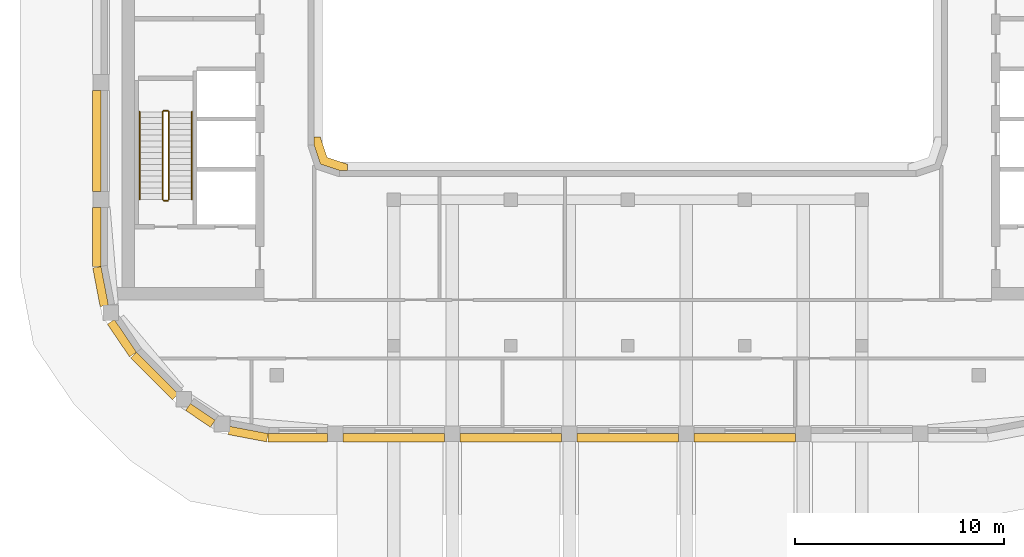
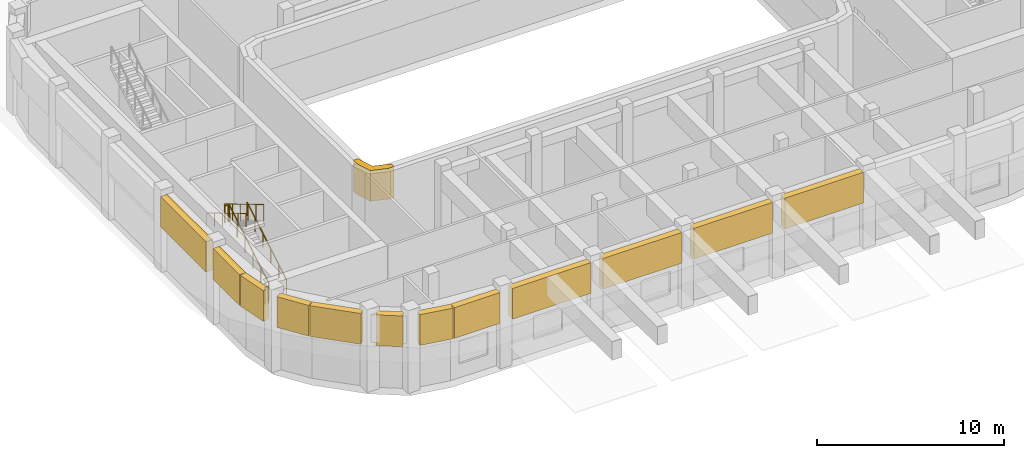
# One storey, part 11 of 17: 13 coverings, 6 railings.
"""IFC4 building model written with IfcOpenShell, lengths in metres."""

from ifc_helpers import new_model, si_unit, direction, frame, origin, origin_2d, place, context, subcontext, project, spatial, polyline, rectangle, circle, outline, extrude, material, type_object, element, save


model = new_model("IFC4")

# Units and contexts
model_context = context("Model", 3, precision=1e-05, world=origin(), true_north=direction((0.0, 1.0)))
body_context = subcontext(model_context, "Body", "Model", "MODEL_VIEW")
ifc_project = project(units=[si_unit("LENGTHUNIT", "METRE"), si_unit("AREAUNIT", "SQUARE_METRE"), si_unit("VOLUMEUNIT", "CUBIC_METRE"), si_unit("PLANEANGLEUNIT", "RADIAN"), si_unit("MASSUNIT", "GRAM", prefix="KILO")], contexts=[model_context])

# Site, building, storey
site_placement = place(None, origin())
site = spatial("IfcSite", under=ifc_project, at=site_placement, CompositionType="ELEMENT")
building_placement = place(site_placement, origin())
building = spatial("IfcBuilding", under=site, at=building_placement, Name="Kiln Ring Residences", CompositionType="ELEMENT")
storey_placement = place(building_placement, frame((0.0, 0.0, 289.10009765625)))
storey = spatial("IfcBuildingStorey", under=building, at=storey_placement, Name="L75", CompositionType="ELEMENT", Elevation=289.10009765625)

# Railings
ifc_material_1 = material(Name="Stainless steel", Category="steel")
railing_type_1 = type_object("IfcRailingType", Name="CORE-STAIR-GUARD", PredefinedType="GUARDRAIL", material=ifc_material_1)
railing_1_placement = place(storey_placement, frame((-21.949951171875, -8.39990234375, 0.168701171875)))
element("IfcRailing", 1, at=railing_1_placement, inside=storey, type_object=railing_type_1, Name="L75 W-STS stair guard 1", PredefinedType="GUARDRAIL", context=body_context, shape_type="SweptSolid", body=[
    extrude(circle(Radius=0.02392578125, at=origin_2d()), frame((0.0, 0.0, 1.076171875), z_axis=(0.0, 0.856476492594, 0.516186030065), x_axis=(-1.0, 0.0, 0.0)), (0.0, 0.0, 1.0), 4.90380859375),
    extrude(circle(Radius=0.02099609375, at=origin_2d()), origin(), (0.0, 0.0, 1.0), 1.052001953125),
    extrude(circle(Radius=0.02099609375, at=origin_2d()), frame((0.0, 0.840087890625, 0.50634765625)), (0.0, 0.0, 1.0), 1.052001953125),
    extrude(circle(Radius=0.02099609375, at=origin_2d()), frame((0.0, 1.679931640625, 1.012451171875)), (0.0, 0.0, 1.0), 1.052001953125),
    extrude(circle(Radius=0.02099609375, at=origin_2d()), frame((0.0, 2.52001953125, 1.518798828125)), (0.0, 0.0, 1.0), 1.052001953125),
    extrude(circle(Radius=0.02099609375, at=origin_2d()), frame((0.0, 3.35986328125, 2.02490234375)), (0.0, 0.0, 1.0), 1.052001953125),
    extrude(circle(Radius=0.02099609375, at=origin_2d()), frame((0.0, 4.199951171875, 2.53125)), (0.0, 0.0, 1.0), 1.052001953125),
])
railing_2_placement = place(storey_placement, frame((-22.0, -4.14990234375, 2.699951171875)))
element("IfcRailing", 2, at=railing_2_placement, inside=storey, type_object=railing_type_1, Name="L75 W-STS stair guard 2", PredefinedType="GUARDRAIL", context=body_context, shape_type="SweptSolid", body=[
    extrude(circle(Radius=0.02392578125, at=origin_2d()), frame((0.0, 0.0, 1.076171875), z_axis=(-1.0, 0.0, 0.0), x_axis=(0.0, -1.0, 0.0)), (0.0, 0.0, 1.0), 0.199951171875),
    extrude(circle(Radius=0.02099609375, at=origin_2d()), origin(), (0.0, 0.0, 1.0), 1.052001953125),
    extrude(circle(Radius=0.02099609375, at=origin_2d()), frame((-0.199951171875, 0.0, 0.0)), (0.0, 0.0, 1.0), 1.052001953125),
])
railing_3_placement = place(storey_placement, frame((-22.25, -4.199951171875, 2.86865234375)))
element("IfcRailing", 3, at=railing_3_placement, inside=storey, type_object=railing_type_1, Name="L75 W-STS stair guard 3", PredefinedType="GUARDRAIL", context=body_context, shape_type="SweptSolid", body=[
    extrude(circle(Radius=0.02392578125, at=origin_2d()), frame((0.0, 0.0, 1.076171875), z_axis=(0.0, -0.856476492594, 0.516186030065), x_axis=(1.0, 0.0, 0.0)), (0.0, 0.0, 1.0), 4.90380859375),
    extrude(circle(Radius=0.02099609375, at=origin_2d()), origin(), (0.0, 0.0, 1.0), 1.052001953125),
    extrude(circle(Radius=0.02099609375, at=origin_2d()), frame((0.0, -0.840087890625, 0.50634765625)), (0.0, 0.0, 1.0), 1.052001953125),
    extrude(circle(Radius=0.02099609375, at=origin_2d()), frame((0.0, -1.679931640625, 1.012451171875)), (0.0, 0.0, 1.0), 1.052001953125),
    extrude(circle(Radius=0.02099609375, at=origin_2d()), frame((0.0, -2.52001953125, 1.518798828125)), (0.0, 0.0, 1.0), 1.052001953125),
    extrude(circle(Radius=0.02099609375, at=origin_2d()), frame((0.0, -3.35986328125, 2.02490234375)), (0.0, 0.0, 1.0), 1.052001953125),
    extrude(circle(Radius=0.02099609375, at=origin_2d()), frame((0.0, -4.199951171875, 2.53125)), (0.0, 0.0, 1.0), 1.052001953125),
])
railing_4_placement = place(storey_placement, frame((-22.0, -8.449951171875, 0.0)))
element("IfcRailing", 4, at=railing_4_placement, inside=storey, type_object=railing_type_1, Name="L75 W-STS stair guard 4", PredefinedType="GUARDRAIL", context=body_context, shape_type="SweptSolid", body=[
    extrude(circle(Radius=0.02392578125, at=origin_2d()), frame((0.0, 0.0, 1.076171875), z_axis=(-1.0, 0.0, 0.0), x_axis=(0.0, -1.0, 0.0)), (0.0, 0.0, 1.0), 0.199951171875),
    extrude(circle(Radius=0.02099609375, at=origin_2d()), origin(), (0.0, 0.0, 1.0), 1.052001953125),
    extrude(circle(Radius=0.02099609375, at=origin_2d()), frame((-0.199951171875, 0.0, 0.0)), (0.0, 0.0, 1.0), 1.052001953125),
])
ifc_material_2 = material(Name="Stainless steel", Category="steel")
railing_type_2 = type_object("IfcRailingType", Name="CORE-STAIR-HANDRAIL", PredefinedType="HANDRAIL", material=ifc_material_2)
railing_5_placement = place(storey_placement, frame((-20.85009765625, -8.39990234375, 0.168701171875)))
element("IfcRailing", 5, at=railing_5_placement, inside=storey, type_object=railing_type_2, Name="L75 W-STS stair handrail 1", PredefinedType="HANDRAIL", context=body_context, shape_type="SweptSolid", body=[
    extrude(circle(Radius=0.02392578125, at=origin_2d()), frame((0.0, 0.0, 0.8759765625), z_axis=(0.0, 0.856476492594, 0.516186030065), x_axis=(-1.0, 0.0, 0.0)), (0.0, 0.0, 1.0), 4.90380859375),
    extrude(circle(Radius=0.02099609375, at=origin_2d()), origin(), (0.0, 0.0, 1.0), 0.851806640625),
    extrude(circle(Radius=0.02099609375, at=origin_2d()), frame((0.0, 0.840087890625, 0.50634765625)), (0.0, 0.0, 1.0), 0.851806640625),
    extrude(circle(Radius=0.02099609375, at=origin_2d()), frame((0.0, 1.679931640625, 1.012451171875)), (0.0, 0.0, 1.0), 0.851806640625),
    extrude(circle(Radius=0.02099609375, at=origin_2d()), frame((0.0, 2.52001953125, 1.518798828125)), (0.0, 0.0, 1.0), 0.851806640625),
    extrude(circle(Radius=0.02099609375, at=origin_2d()), frame((0.0, 3.35986328125, 2.02490234375)), (0.0, 0.0, 1.0), 0.851806640625),
    extrude(circle(Radius=0.02099609375, at=origin_2d()), frame((0.0, 4.199951171875, 2.53125)), (0.0, 0.0, 1.0), 0.851806640625),
])
railing_6_placement = place(storey_placement, frame((-23.35009765625, -4.199951171875, 2.86865234375)))
element("IfcRailing", 6, at=railing_6_placement, inside=storey, type_object=railing_type_2, Name="L75 W-STS stair handrail 2", PredefinedType="HANDRAIL", context=body_context, shape_type="SweptSolid", body=[
    extrude(circle(Radius=0.02392578125, at=origin_2d()), frame((0.0, 0.0, 0.8759765625), z_axis=(0.0, -0.856476492594, 0.516186030065), x_axis=(1.0, 0.0, 0.0)), (0.0, 0.0, 1.0), 4.90380859375),
    extrude(circle(Radius=0.02099609375, at=origin_2d()), origin(), (0.0, 0.0, 1.0), 0.851806640625),
    extrude(circle(Radius=0.02099609375, at=origin_2d()), frame((0.0, -0.840087890625, 0.50634765625)), (0.0, 0.0, 1.0), 0.851806640625),
    extrude(circle(Radius=0.02099609375, at=origin_2d()), frame((0.0, -1.679931640625, 1.012451171875)), (0.0, 0.0, 1.0), 0.851806640625),
    extrude(circle(Radius=0.02099609375, at=origin_2d()), frame((0.0, -2.52001953125, 1.518798828125)), (0.0, 0.0, 1.0), 0.851806640625),
    extrude(circle(Radius=0.02099609375, at=origin_2d()), frame((0.0, -3.35986328125, 2.02490234375)), (0.0, 0.0, 1.0), 0.851806640625),
    extrude(circle(Radius=0.02099609375, at=origin_2d()), frame((0.0, -4.199951171875, 2.53125)), (0.0, 0.0, 1.0), 0.851806640625),
])

# Coverings
ifc_material_3 = material(Name="Concrete C35/45, exposed aggregate finish", Category="concrete")
covering_type = type_object("IfcCoveringType", Name="TIE BAND 2000 x 400", PredefinedType="CLADDING", material=ifc_material_3)
covering_1_placement = place(storey_placement, frame((-22.6455078125, -16.837158203125, 3.0), z_axis=(0.0, 0.0, 1.0), x_axis=(0.707106781187, -0.707106781187, 0.0)))
element("IfcCovering", 7, at=covering_1_placement, inside=storey, type_object=covering_type, Name="TIE BAND L75", PredefinedType="CLADDING", context=body_context, shape_type="SweptSolid", body=[
    extrude(rectangle(XDim=2.824951171875, YDim=0.39990234375, at=origin_2d()), origin(), (0.0, 0.0, 1.0), 2.0),
])
covering_2_placement = place(storey_placement, frame((-20.44384765625, -18.724609375, 3.0), z_axis=(0.0, 0.0, 1.0), x_axis=(0.827071553606, -0.562096651134, 0.0)))
element("IfcCovering", 8, at=covering_2_placement, inside=storey, type_object=covering_type, Name="TIE BAND L75", PredefinedType="CLADDING", context=body_context, shape_type="SweptSolid", body=[
    extrude(rectangle(XDim=1.427001953125, YDim=0.39990234375, at=origin_2d()), origin(), (0.0, 0.0, 1.0), 2.0),
])
covering_3_placement = place(storey_placement, frame((-18.161376953125, -19.6201171875, 3.0), z_axis=(0.0, 0.0, 1.0), x_axis=(0.98229025778, -0.187365550382, 0.0)))
element("IfcCovering", 9, at=covering_3_placement, inside=storey, type_object=covering_type, Name="TIE BAND L75", PredefinedType="CLADDING", context=body_context, shape_type="SweptSolid", body=[
    extrude(rectangle(XDim=1.881103515625, YDim=0.39990234375, at=origin_2d()), origin(), (0.0, 0.0, 1.0), 2.0),
])
covering_4_placement = place(storey_placement, frame((-15.78759765625, -19.800048828125, 3.0), z_axis=(0.0, 0.0, 1.0), x_axis=(1.0, 0.0, 0.0)))
element("IfcCovering", 10, at=covering_4_placement, inside=storey, type_object=covering_type, Name="TIE BAND L75", PredefinedType="CLADDING", context=body_context, shape_type="SweptSolid", body=[
    extrude(rectangle(XDim=2.824951171875, YDim=0.39990234375, at=origin_2d()), origin(), (0.0, 0.0, 1.0), 2.0),
])
for number, where, z_axis, x_axis, name in (
    (11, (-11.199951171875, -19.800048828125, 3.0), (0.0, 0.0, 1.0), (1.0, 0.0, 0.0), "TIE BAND L75"),
    (12, (-5.60009765625, -19.800048828125, 3.0), (0.0, 0.0, 1.0), (1.0, 0.0, 0.0), "TIE BAND L75"),
    (13, (0.0, -19.800048828125, 3.0), (0.0, 0.0, 1.0), (1.0, 0.0, 0.0), "TIE BAND L75"),
    (14, (5.60009765625, -19.800048828125, 3.0), (0.0, 0.0, 1.0), (1.0, 0.0, 0.0), "TIE BAND L75"),
    (15, (-25.39990234375, -5.60009765625, 3.0), (0.0, 0.0, 1.0), (0.0, -1.0, 0.0), "TIE BAND L75"),
):
    element("IfcCovering", number, at=place(storey_placement, frame(where, z_axis=z_axis, x_axis=x_axis)), inside=storey, type_object=covering_type, Name=name, PredefinedType="CLADDING", context=body_context, shape_type="SweptSolid", body=[
        extrude(rectangle(XDim=4.85009765625, YDim=0.39990234375, at=origin_2d()), origin(), (0.0, 0.0, 1.0), 2.0),
    ])
covering_5_placement = place(storey_placement, frame((-25.39990234375, -10.1875, 3.0), z_axis=(0.0, 0.0, 1.0), x_axis=(0.0, -1.0, 0.0)))
element("IfcCovering", 16, at=covering_5_placement, inside=storey, type_object=covering_type, Name="TIE BAND L75", PredefinedType="CLADDING", context=body_context, shape_type="SweptSolid", body=[
    extrude(rectangle(XDim=2.824951171875, YDim=0.39990234375, at=origin_2d()), origin(), (0.0, 0.0, 1.0), 2.0),
])
for number, where, z_axis, x_axis, name in (
    (17, (-25.22021484375, -12.561279296875, 3.0), (0.0, 0.0, 1.0), (0.187365550382, -0.98229025778, 0.0), "TIE BAND L75"),
    (18, (-24.197021484375, -15.031494140625, 3.0), (0.0, 0.0, 1.0), (0.562096651134, -0.827071553606, 0.0), "TIE BAND L75"),
):
    element("IfcCovering", number, at=place(storey_placement, frame(where, z_axis=z_axis, x_axis=x_axis)), inside=storey, type_object=covering_type, Name=name, PredefinedType="CLADDING", context=body_context, shape_type="SweptSolid", body=[
        extrude(rectangle(XDim=1.881103515625, YDim=0.39990234375, at=origin_2d()), origin(), (0.0, 0.0, 1.0), 2.0),
    ])
covering_6_placement = place(storey_placement, frame((0.0, 0.0, 3.0)))
element("IfcCovering", 19, at=covering_6_placement, inside=storey, type_object=covering_type, Name="TIE BAND L75", PredefinedType="CLADDING", context=body_context, shape_type="SweptSolid", body=[
    extrude(outline(polyline([(-14.3837890625, -6.3837890625), (-14.711669921875, -5.39990234375), (-15.0, -5.39990234375), (-15.0, -5.800048828125), (-14.699951171875, -6.699951171875), (-13.800048828125, -7.0), (-13.39990234375, -7.0), (-13.39990234375, -6.711669921875), (-14.3837890625, -6.3837890625)])), origin(), (0.0, 0.0, 1.0), 2.0),
])

save(model, "model.ifc")
